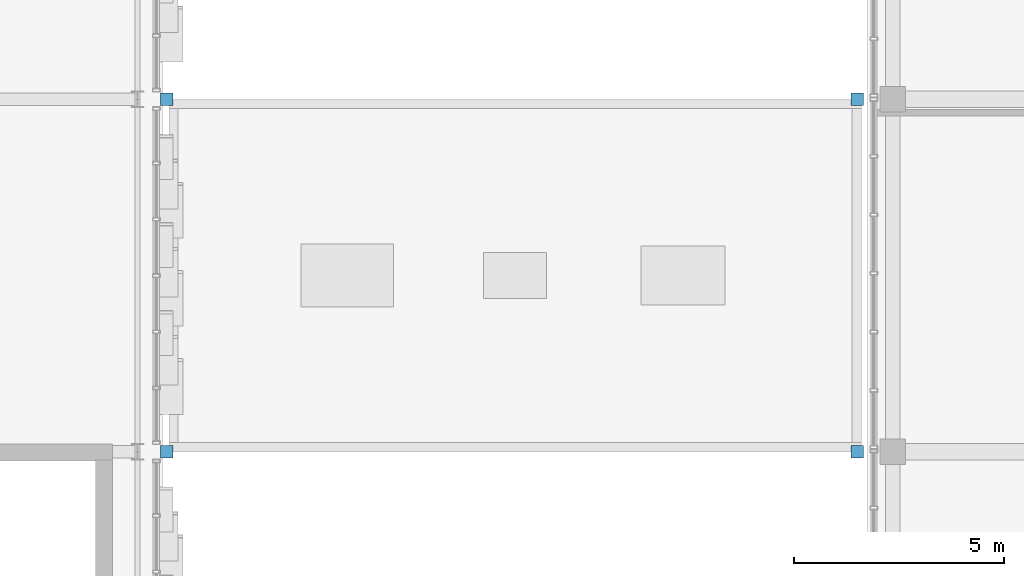
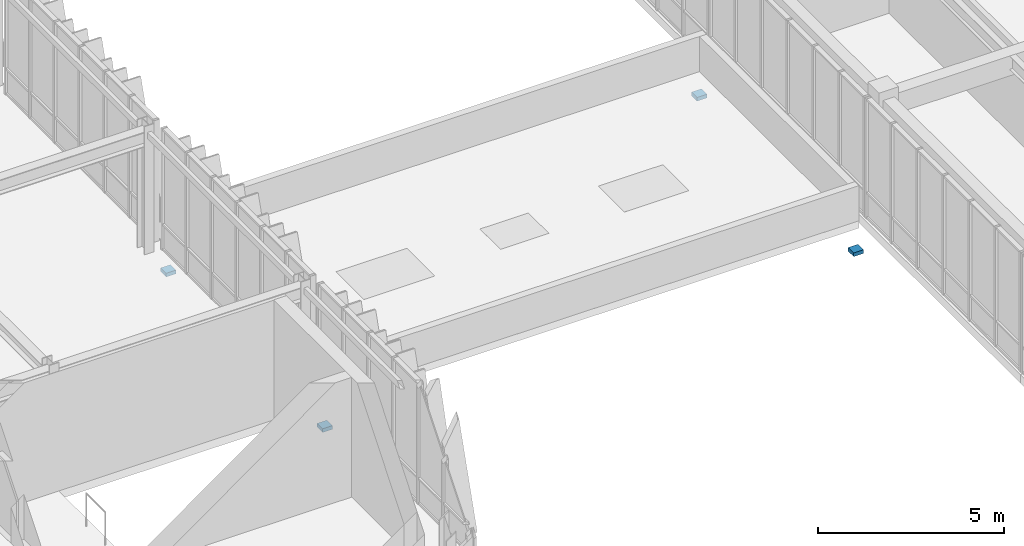
# One storey, part 116 of 123: 4 discrete accessories.
"""IFC4 building model written with IfcOpenShell, lengths in metres."""

import ifcopenshell
import ifcopenshell.guid

model = None  # the IFC model being written
_history = None  # IfcOwnerHistory: only IFC2X3 demands one
_inside = {}  # id of a spatial element -> (the spatial element, [elements in it])
_under = {}  # id of a project, library or spatial element -> (it, [spatial elements below it])
_declared = {}  # id of a project -> (the project, [libraries it declares])
_typed = {}  # id of a type object -> (the type object, [elements of that type])
_made_of = {}  # id of a material, layer set ... -> (it, [elements and type objects made of it])


def new_model(schema):
    """Start an empty IFC model of exactly this schema.

    Asked for "IFC4X3", IfcOpenShell would pick the latest addendum, in which some entities
    have other attributes; the version numbers below select the first issue.
    IFC2X3 requires an IfcOwnerHistory on every rooted entity: one is made here for all.
    """
    global model, _history
    if schema == "IFC4X3":
        model = ifcopenshell.file(schema_version=(4, 3, 0, 0))
    else:
        model = ifcopenshell.file(schema=schema)
    _inside.clear()
    _under.clear()
    _declared.clear()
    _typed.clear()
    _made_of.clear()
    _history = None
    if model.schema == "IFC2X3":
        org = make("IfcOrganization", Name="unknown")
        user = make(
            "IfcPersonAndOrganization",
            ThePerson=make("IfcPerson", FamilyName="unknown"),
            TheOrganization=org,
        )
        app = make(
            "IfcApplication",
            ApplicationDeveloper=org,
            Version="unknown",
            ApplicationFullName="unknown",
            ApplicationIdentifier="unknown",
        )
        _history = make(
            "IfcOwnerHistory",
            OwningUser=user,
            OwningApplication=app,
            ChangeAction="ADDED",
            CreationDate=0,
        )
    return model


def make(cls, **values):
    """One entity of the class cls with the attributes given. An attribute that is None is left unset."""
    return model.create_entity(
        cls, **{name: value for name, value in values.items() if value is not None}
    )


def rooted(cls, **values):
    """An entity with a GlobalId (a new one), such as an element, a storey or a relation."""
    return make(cls, GlobalId=ifcopenshell.guid.new(), OwnerHistory=_history, **values)


def si_unit(unit_type, name, prefix=None):
    """IfcSIUnit, for example si_unit("LENGTHUNIT", "METRE", prefix="MILLI")."""
    return make("IfcSIUnit", UnitType=unit_type, Prefix=prefix, Name=name)


def assignment(units):
    """IfcUnitAssignment: the units of a project."""
    return None if units is None else make("IfcUnitAssignment", Units=units)


def point(xyz):
    """IfcCartesianPoint."""
    return None if xyz is None else make("IfcCartesianPoint", Coordinates=xyz)


def direction(xyz):
    """IfcDirection."""
    return None if xyz is None else make("IfcDirection", DirectionRatios=xyz)


def frame(location, z_axis=None, x_axis=None):
    """IfcAxis2Placement3D, a coordinate frame: its origin and axes. An axis left out is left unset."""
    return make(
        "IfcAxis2Placement3D",
        Location=point(location),
        Axis=direction(z_axis),
        RefDirection=direction(x_axis),
    )


def frame_2d(location, x_axis=None):
    """IfcAxis2Placement2D, a coordinate frame in the plane: its origin and x axis."""
    return make(
        "IfcAxis2Placement2D", Location=point(location), RefDirection=direction(x_axis)
    )


def origin():
    """The frame at (0, 0, 0) with its axes left unset."""
    return frame((0.0, 0.0, 0.0))


def origin_2d():
    """The frame at (0, 0) in the plane with its x axis left unset."""
    return frame_2d((0.0, 0.0))


def place(relative_to, where):
    """IfcLocalPlacement: puts the frame where relative to a parent placement (None: the world)."""
    return make(
        "IfcLocalPlacement", PlacementRelTo=relative_to, RelativePlacement=where
    )


def context(
    kind, dimensions, precision=None, world=None, true_north=None, identifier=None
):
    """IfcGeometricRepresentationContext, for example the 3D "Model" context."""
    return make(
        "IfcGeometricRepresentationContext",
        ContextIdentifier=identifier,
        ContextType=kind,
        CoordinateSpaceDimension=dimensions,
        Precision=precision,
        WorldCoordinateSystem=world,
        TrueNorth=true_north,
    )


def subcontext(parent, identifier, kind, view, scale=None):
    """IfcGeometricRepresentationSubContext, for example "Body" below "Model"."""
    return make(
        "IfcGeometricRepresentationSubContext",
        ContextIdentifier=identifier,
        ContextType=kind,
        ParentContext=parent,
        TargetScale=scale,
        TargetView=view,
    )


def project(units=None, contexts=None):
    """IfcProject with its units and contexts."""
    return rooted(
        "IfcProject",
        Name="project",
        RepresentationContexts=contexts,
        UnitsInContext=assignment(units),
    )


def spatial(cls, under=None, at=None, **own):
    """A site, building, storey or space (cls), placed at a placement, below another one or the project."""
    s = rooted(cls, ObjectPlacement=at, **own)
    if under is not None:
        _under.setdefault(under.id(), (under, []))[1].append(s)
    return s


def profile(cls, at=None, kind="AREA", **sizes):
    """A parametric profile (cls). Its sizes go by their IFC names, for example OverallWidth=200.0."""
    return make(cls, ProfileType=kind, Position=at, **sizes)


def rectangle(**sizes):
    """IfcRectangleProfileDef."""
    return profile("IfcRectangleProfileDef", **sizes)


def extrude(swept, where, along, depth):
    """IfcExtrudedAreaSolid: the profile swept, set in the frame where, extruded along a direction by depth."""
    return make(
        "IfcExtrudedAreaSolid",
        SweptArea=swept,
        Position=where,
        ExtrudedDirection=direction(along),
        Depth=depth,
    )


def shape(context_of_items, identifier, shape_type, items):
    """IfcShapeRepresentation: the items that make up one representation, for example the "Body"."""
    return make(
        "IfcShapeRepresentation",
        ContextOfItems=context_of_items,
        RepresentationIdentifier=identifier,
        RepresentationType=shape_type,
        Items=items,
    )


def material(Name=None, Category=None):
    """IfcMaterial."""
    return make("IfcMaterial", Name=Name, Category=Category)


def made_of(thing, what):
    """Note that an element or type object is made of a material, layer set ...; save() writes the relation."""
    if what is not None:
        _made_of.setdefault(what.id(), (what, []))[1].append(thing)
    return thing


def type_object(cls, material=None, **own):
    """A type object (cls), such as IfcWallType, which elements share."""
    return made_of(rooted(cls, **own), material)


def element(
    cls,
    number,
    at=None,
    inside=None,
    cuts=None,
    type_object=None,
    material=None,
    context=None,
    identifier="Body",
    shape_type=None,
    held_by="IfcProductDefinitionShape",
    body=None,
    shapes=None,
    **own,
):
    """One element of the class cls, such as IfcWall. Its Tag is "e" and its number.

    at: its placement. inside: the storey or other place that contains it. cuts: it is an
    opening in that element (IfcRelVoidsElement). A single representation is given by context,
    identifier, shape_type and body (its items); several are given by shapes. held_by: the class
    of the entity that holds the representations. save() writes the other relations.
    """
    e = rooted(cls, Tag="e%d" % number, ObjectPlacement=at, **own)
    if body is not None:
        shapes = [shape(context, identifier, shape_type, body)]
    if shapes is not None:
        e.Representation = make(held_by, Representations=shapes)
    if inside is not None:
        _inside.setdefault(inside.id(), (inside, []))[1].append(e)
    if cuts is not None:
        rooted(
            "IfcRelVoidsElement", RelatingBuildingElement=cuts, RelatedOpeningElement=e
        )
    if type_object is not None:
        _typed.setdefault(type_object.id(), (type_object, []))[1].append(e)
    return made_of(e, material)


def aggregate(whole, parts):
    """IfcRelAggregates: a whole, such as a stair, and the parts it consists of."""
    return rooted("IfcRelAggregates", RelatingObject=whole, RelatedObjects=parts)


def save(model, path):
    """Write the relations noted so far, then the file.

    IfcRelAggregates (storeys below a building ...), IfcRelContainedInSpatialStructure (elements
    in a storey), IfcRelDefinesByType, IfcRelAssociatesMaterial and IfcRelDeclares: one each for
    every whole, place, type object, material and project.
    """
    for whole, parts in _under.values():
        aggregate(whole, parts)
    for where, things in _inside.values():
        rooted(
            "IfcRelContainedInSpatialStructure",
            RelatedElements=things,
            RelatingStructure=where,
        )
    for kind, things in _typed.values():
        rooted("IfcRelDefinesByType", RelatedObjects=things, RelatingType=kind)
    for what, things in _made_of.values():
        rooted("IfcRelAssociatesMaterial", RelatedObjects=things, RelatingMaterial=what)
    for by, libraries in _declared.values():
        rooted("IfcRelDeclares", RelatingContext=by, RelatedDefinitions=libraries)
    model.write(path)


model = new_model("IFC4")

# Units and contexts
model_context = context("Model", 3, precision=1e-05, world=origin(), true_north=direction((0.0, 1.0)))
body_context = subcontext(model_context, "Body", "Model", "MODEL_VIEW")
ifc_project = project(units=[si_unit("LENGTHUNIT", "METRE"), si_unit("AREAUNIT", "SQUARE_METRE"), si_unit("VOLUMEUNIT", "CUBIC_METRE"), si_unit("PLANEANGLEUNIT", "RADIAN"), si_unit("MASSUNIT", "GRAM", prefix="KILO")], contexts=[model_context])

# Site, building, storey
site_placement = place(None, origin())
site = spatial("IfcSite", under=ifc_project, at=site_placement, CompositionType="ELEMENT")
building_placement = place(site_placement, origin())
building = spatial("IfcBuilding", under=site, at=building_placement, Name="Zayran Congress Hotel", CompositionType="ELEMENT")
storey_placement = place(building_placement, frame((0.0, 0.0, 15.0)))
storey = spatial("IfcBuildingStorey", under=building, at=storey_placement, Name="L03", CompositionType="ELEMENT", Elevation=15.0)

# Discrete accessories
ifc_material = material(Name="Steel S355", Category="steel")
discrete_accessory_type = type_object("IfcDiscreteAccessoryType", Name="TP-PTFE-BRG", PredefinedType="USERDEFINED", material=ifc_material)
for number, where, z_axis, x_axis, name in (
    (1, (92.5, 76.0, -1.0), (0.0, 0.0, 1.0), (1.0, 0.0, 0.0), "Unguided 2D Free PTFE Sliding Bearing 9"),
    (2, (108.949951171875, 76.0, -1.0), (0.0, 0.0, 1.0), (1.0, 0.0, 0.0), "Unguided 2D Free PTFE Sliding Bearing 10"),
    (3, (92.5, 84.39990234375, -1.0), (0.0, 0.0, 1.0), (1.0, 0.0, 0.0), "Unguided 2D Free PTFE Sliding Bearing 11"),
    (4, (108.949951171875, 84.39990234375, -1.0), (0.0, 0.0, 1.0), (1.0, 0.0, 0.0), "Unguided 2D Free PTFE Sliding Bearing 12"),
):
    element("IfcDiscreteAccessory", number, at=place(storey_placement, frame(where, z_axis=z_axis, x_axis=x_axis)), inside=storey, type_object=discrete_accessory_type, Name=name, ObjectType="SLIDING BEARING", PredefinedType="USERDEFINED", context=body_context, shape_type="SweptSolid", body=[
        extrude(rectangle(XDim=0.300048828125, YDim=0.300048828125, at=origin_2d()), origin(), (0.0, 0.0, 1.0), 0.1201171875),
    ])

save(model, "model.ifc")
